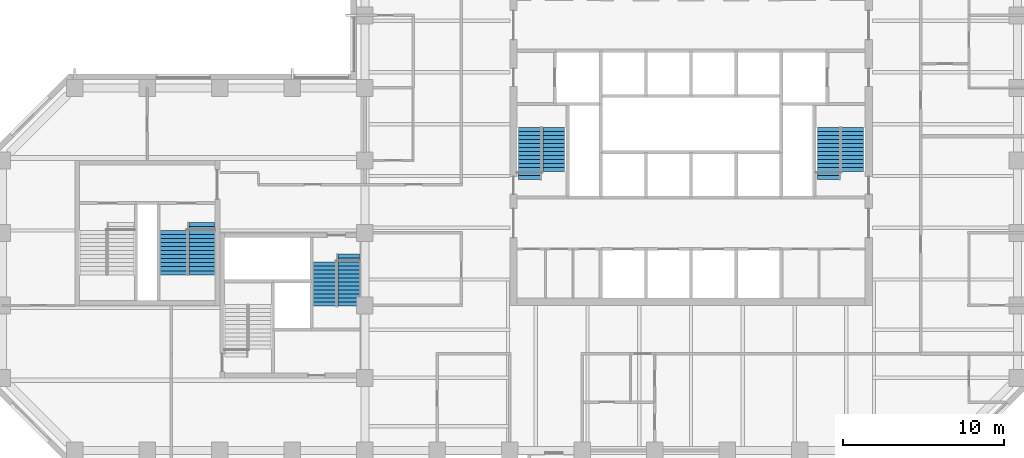
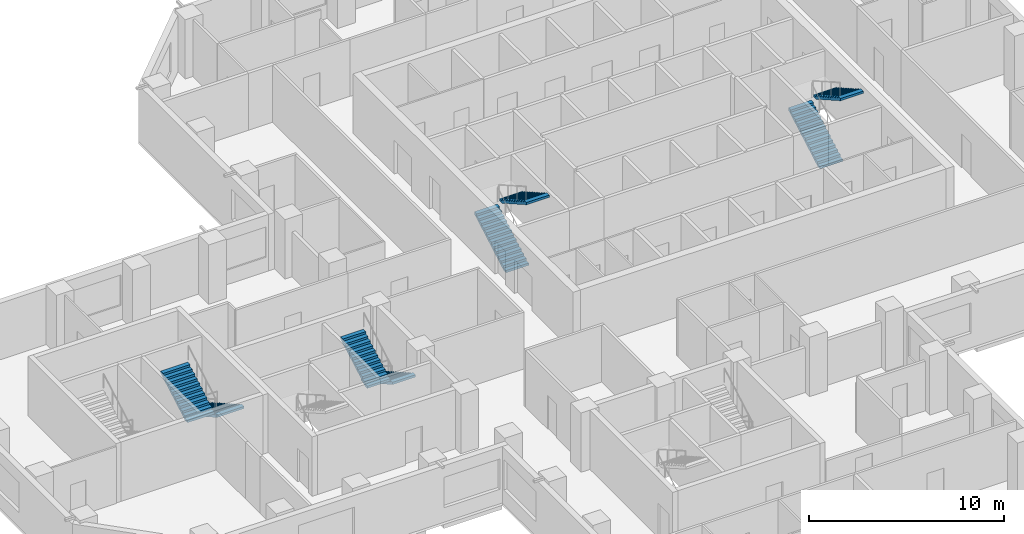
# One storey, part 10 of 11: 8 stair flights, 4 elements without a shape of their own.
"""IFC4 building model written with IfcOpenShell, lengths in metres."""

import ifcopenshell
import ifcopenshell.guid

model = None  # the IFC model being written
_history = None  # IfcOwnerHistory: only IFC2X3 demands one
_inside = {}  # id of a spatial element -> (the spatial element, [elements in it])
_under = {}  # id of a project, library or spatial element -> (it, [spatial elements below it])
_declared = {}  # id of a project -> (the project, [libraries it declares])
_typed = {}  # id of a type object -> (the type object, [elements of that type])
_made_of = {}  # id of a material, layer set ... -> (it, [elements and type objects made of it])


def new_model(schema):
    """Start an empty IFC model of exactly this schema.

    Asked for "IFC4X3", IfcOpenShell would pick the latest addendum, in which some entities
    have other attributes; the version numbers below select the first issue.
    IFC2X3 requires an IfcOwnerHistory on every rooted entity: one is made here for all.
    """
    global model, _history
    if schema == "IFC4X3":
        model = ifcopenshell.file(schema_version=(4, 3, 0, 0))
    else:
        model = ifcopenshell.file(schema=schema)
    _inside.clear()
    _under.clear()
    _declared.clear()
    _typed.clear()
    _made_of.clear()
    _history = None
    if model.schema == "IFC2X3":
        org = make("IfcOrganization", Name="unknown")
        user = make(
            "IfcPersonAndOrganization",
            ThePerson=make("IfcPerson", FamilyName="unknown"),
            TheOrganization=org,
        )
        app = make(
            "IfcApplication",
            ApplicationDeveloper=org,
            Version="unknown",
            ApplicationFullName="unknown",
            ApplicationIdentifier="unknown",
        )
        _history = make(
            "IfcOwnerHistory",
            OwningUser=user,
            OwningApplication=app,
            ChangeAction="ADDED",
            CreationDate=0,
        )
    return model


def make(cls, **values):
    """One entity of the class cls with the attributes given. An attribute that is None is left unset."""
    return model.create_entity(
        cls, **{name: value for name, value in values.items() if value is not None}
    )


def rooted(cls, **values):
    """An entity with a GlobalId (a new one), such as an element, a storey or a relation."""
    return make(cls, GlobalId=ifcopenshell.guid.new(), OwnerHistory=_history, **values)


def si_unit(unit_type, name, prefix=None):
    """IfcSIUnit, for example si_unit("LENGTHUNIT", "METRE", prefix="MILLI")."""
    return make("IfcSIUnit", UnitType=unit_type, Prefix=prefix, Name=name)


def assignment(units):
    """IfcUnitAssignment: the units of a project."""
    return None if units is None else make("IfcUnitAssignment", Units=units)


def point(xyz):
    """IfcCartesianPoint."""
    return None if xyz is None else make("IfcCartesianPoint", Coordinates=xyz)


def direction(xyz):
    """IfcDirection."""
    return None if xyz is None else make("IfcDirection", DirectionRatios=xyz)


def frame(location, z_axis=None, x_axis=None):
    """IfcAxis2Placement3D, a coordinate frame: its origin and axes. An axis left out is left unset."""
    return make(
        "IfcAxis2Placement3D",
        Location=point(location),
        Axis=direction(z_axis),
        RefDirection=direction(x_axis),
    )


def origin():
    """The frame at (0, 0, 0) with its axes left unset."""
    return frame((0.0, 0.0, 0.0))


def place(relative_to, where):
    """IfcLocalPlacement: puts the frame where relative to a parent placement (None: the world)."""
    return make(
        "IfcLocalPlacement", PlacementRelTo=relative_to, RelativePlacement=where
    )


def context(
    kind, dimensions, precision=None, world=None, true_north=None, identifier=None
):
    """IfcGeometricRepresentationContext, for example the 3D "Model" context."""
    return make(
        "IfcGeometricRepresentationContext",
        ContextIdentifier=identifier,
        ContextType=kind,
        CoordinateSpaceDimension=dimensions,
        Precision=precision,
        WorldCoordinateSystem=world,
        TrueNorth=true_north,
    )


def subcontext(parent, identifier, kind, view, scale=None):
    """IfcGeometricRepresentationSubContext, for example "Body" below "Model"."""
    return make(
        "IfcGeometricRepresentationSubContext",
        ContextIdentifier=identifier,
        ContextType=kind,
        ParentContext=parent,
        TargetScale=scale,
        TargetView=view,
    )


def project(units=None, contexts=None):
    """IfcProject with its units and contexts."""
    return rooted(
        "IfcProject",
        Name="project",
        RepresentationContexts=contexts,
        UnitsInContext=assignment(units),
    )


def spatial(cls, under=None, at=None, **own):
    """A site, building, storey or space (cls), placed at a placement, below another one or the project."""
    s = rooted(cls, ObjectPlacement=at, **own)
    if under is not None:
        _under.setdefault(under.id(), (under, []))[1].append(s)
    return s


def polyline(points):
    """IfcPolyline through the points."""
    return make("IfcPolyline", Points=[point(p) for p in points])


def outline(outer, holes=None, kind="AREA"):
    """IfcArbitraryClosedProfileDef: a profile drawn as a closed curve; with holes, ...WithVoids."""
    if holes is None:
        return make("IfcArbitraryClosedProfileDef", ProfileType=kind, OuterCurve=outer)
    return make(
        "IfcArbitraryProfileDefWithVoids",
        ProfileType=kind,
        OuterCurve=outer,
        InnerCurves=holes,
    )


def extrude(swept, where, along, depth):
    """IfcExtrudedAreaSolid: the profile swept, set in the frame where, extruded along a direction by depth."""
    return make(
        "IfcExtrudedAreaSolid",
        SweptArea=swept,
        Position=where,
        ExtrudedDirection=direction(along),
        Depth=depth,
    )


def shape(context_of_items, identifier, shape_type, items):
    """IfcShapeRepresentation: the items that make up one representation, for example the "Body"."""
    return make(
        "IfcShapeRepresentation",
        ContextOfItems=context_of_items,
        RepresentationIdentifier=identifier,
        RepresentationType=shape_type,
        Items=items,
    )


def material(Name=None, Category=None):
    """IfcMaterial."""
    return make("IfcMaterial", Name=Name, Category=Category)


def made_of(thing, what):
    """Note that an element or type object is made of a material, layer set ...; save() writes the relation."""
    if what is not None:
        _made_of.setdefault(what.id(), (what, []))[1].append(thing)
    return thing


def type_object(cls, material=None, **own):
    """A type object (cls), such as IfcWallType, which elements share."""
    return made_of(rooted(cls, **own), material)


def element(
    cls,
    number,
    at=None,
    inside=None,
    cuts=None,
    type_object=None,
    material=None,
    context=None,
    identifier="Body",
    shape_type=None,
    held_by="IfcProductDefinitionShape",
    body=None,
    shapes=None,
    **own,
):
    """One element of the class cls, such as IfcWall. Its Tag is "e" and its number.

    at: its placement. inside: the storey or other place that contains it. cuts: it is an
    opening in that element (IfcRelVoidsElement). A single representation is given by context,
    identifier, shape_type and body (its items); several are given by shapes. held_by: the class
    of the entity that holds the representations. save() writes the other relations.
    """
    e = rooted(cls, Tag="e%d" % number, ObjectPlacement=at, **own)
    if body is not None:
        shapes = [shape(context, identifier, shape_type, body)]
    if shapes is not None:
        e.Representation = make(held_by, Representations=shapes)
    if inside is not None:
        _inside.setdefault(inside.id(), (inside, []))[1].append(e)
    if cuts is not None:
        rooted(
            "IfcRelVoidsElement", RelatingBuildingElement=cuts, RelatedOpeningElement=e
        )
    if type_object is not None:
        _typed.setdefault(type_object.id(), (type_object, []))[1].append(e)
    return made_of(e, material)


def aggregate(whole, parts):
    """IfcRelAggregates: a whole, such as a stair, and the parts it consists of."""
    return rooted("IfcRelAggregates", RelatingObject=whole, RelatedObjects=parts)


def save(model, path):
    """Write the relations noted so far, then the file.

    IfcRelAggregates (storeys below a building ...), IfcRelContainedInSpatialStructure (elements
    in a storey), IfcRelDefinesByType, IfcRelAssociatesMaterial and IfcRelDeclares: one each for
    every whole, place, type object, material and project.
    """
    for whole, parts in _under.values():
        aggregate(whole, parts)
    for where, things in _inside.values():
        rooted(
            "IfcRelContainedInSpatialStructure",
            RelatedElements=things,
            RelatingStructure=where,
        )
    for kind, things in _typed.values():
        rooted("IfcRelDefinesByType", RelatedObjects=things, RelatingType=kind)
    for what, things in _made_of.values():
        rooted("IfcRelAssociatesMaterial", RelatedObjects=things, RelatingMaterial=what)
    for by, libraries in _declared.values():
        rooted("IfcRelDeclares", RelatingContext=by, RelatedDefinitions=libraries)
    model.write(path)


model = new_model("IFC4")

# Units and contexts
model_context = context("Model", 3, precision=1e-05, world=origin(), true_north=direction((0.0, 1.0)))
body_context = subcontext(model_context, "Body", "Model", "MODEL_VIEW")
ifc_project = project(units=[si_unit("LENGTHUNIT", "METRE"), si_unit("AREAUNIT", "SQUARE_METRE"), si_unit("VOLUMEUNIT", "CUBIC_METRE"), si_unit("PLANEANGLEUNIT", "RADIAN"), si_unit("MASSUNIT", "GRAM", prefix="KILO")], contexts=[model_context])

# Site, building, storey
site_placement = place(None, origin())
site = spatial("IfcSite", under=ifc_project, at=site_placement, CompositionType="ELEMENT")
building_placement = place(site_placement, origin())
building = spatial("IfcBuilding", under=site, at=building_placement, Name="Quoin Convention Tower", CompositionType="ELEMENT")
storey_placement = place(building_placement, frame((0.0, 0.0, 123.300048828125)))
storey = spatial("IfcBuildingStorey", under=building, at=storey_placement, Name="L32", CompositionType="ELEMENT", Elevation=123.300048828125)

# Stair, stair flights
ifc_material = material(Name="Concrete C40", Category="concrete")
stair_type_1 = type_object("IfcStairType", Name="Exit stair two-flight 1350", PredefinedType="HALF_TURN_STAIR", material=ifc_material)
stair_1_placement = place(storey_placement, origin())
stair_1 = element("IfcStair", 1, at=stair_1_placement, inside=storey, type_object=stair_type_1, Name="SD1 L32", PredefinedType="HALF_TURN_STAIR")
stair_flight_type_1 = type_object("IfcStairFlightType", Name="Stair flight 1350", PredefinedType="STRAIGHT", material=ifc_material)
stair_flight_1_placement = place(storey_placement, frame((46.22509765625, 57.300048828125, 0.0), z_axis=(0.0, 0.0, 1.0), x_axis=(0.0, 1.0, 0.0)))
stair_flight_1 = element("IfcStairFlight", 2, at=stair_flight_1_placement, type_object=stair_flight_type_1, Name="ST1 flight 1", NumberOfRisers=14, NumberOfTreads=13, PredefinedType="STRAIGHT", RiserHeight=0.142307692, TreadLength=0.25, context=body_context, shape_type="SweptSolid", body=[
    extrude(outline(polyline([(0.0, 0.0), (0.0, 0.142333984375), (0.25, 0.142333984375), (0.25, 0.28466796875), (0.5, 0.28466796875), (0.5, 0.427001953125), (0.75, 0.427001953125), (0.75, 0.5693359375), (1.0, 0.5693359375), (1.0, 0.71142578125), (1.25, 0.71142578125), (1.25, 0.853759765625), (1.5, 0.853759765625), (1.5, 0.99609375), (1.75, 0.99609375), (1.75, 1.138427734375), (2.0, 1.138427734375), (2.0, 1.28076171875), (2.25, 1.28076171875), (2.25, 1.423095703125), (2.5, 1.423095703125), (2.5, 1.5654296875), (2.75, 1.5654296875), (2.75, 1.707763671875), (3.0, 1.707763671875), (3.0, 1.85009765625), (3.25, 1.85009765625), (3.25, 1.9921875), (3.25, 1.711669921875), (0.242919921875, 0.0), (0.0, 0.0)])), frame((0.0, 0.675048828125, 0.0), z_axis=(0.0, -1.0, 0.0), x_axis=(1.0, 0.0, 0.0)), (0.0, 0.0, 1.0), 1.35009765625),
])
stair_flight_2_placement = place(storey_placement, frame((47.72509765625, 60.550048828125, 1.9921875), z_axis=(0.0, 0.0, 1.0), x_axis=(0.0, -1.0, 0.0)))
stair_flight_2 = element("IfcStairFlight", 3, at=stair_flight_2_placement, type_object=stair_flight_type_1, Name="ST1 flight 2", NumberOfRisers=12, NumberOfTreads=11, PredefinedType="STRAIGHT", RiserHeight=0.142307692, TreadLength=0.25, context=body_context, shape_type="SweptSolid", body=[
    extrude(outline(polyline([(0.0, 0.0), (0.0, 0.142333984375), (0.25, 0.142333984375), (0.25, 0.28466796875), (0.5, 0.28466796875), (0.5, 0.427001953125), (0.75, 0.427001953125), (0.75, 0.5693359375), (1.0, 0.5693359375), (1.0, 0.71142578125), (1.25, 0.71142578125), (1.25, 0.853759765625), (1.5, 0.853759765625), (1.5, 0.99609375), (1.75, 0.99609375), (1.75, 1.138427734375), (2.0, 1.138427734375), (2.0, 1.28076171875), (2.25, 1.28076171875), (2.25, 1.423095703125), (2.5, 1.423095703125), (2.5, 1.5654296875), (2.75, 1.5654296875), (2.75, 1.707763671875), (2.75, 1.42724609375), (0.242919921875, 0.0), (0.0, 0.0)])), frame((0.0, 0.675048828125, 0.0), z_axis=(0.0, -1.0, 0.0), x_axis=(1.0, 0.0, 0.0)), (0.0, 0.0, 1.0), 1.35009765625),
])
aggregate(stair_1, [stair_flight_1, stair_flight_2])

stair_2_placement = place(storey_placement, origin())
stair_2 = element("IfcStair", 4, at=stair_2_placement, inside=storey, type_object=stair_type_1, Name="SD2 L32", PredefinedType="HALF_TURN_STAIR")
stair_flight_3_placement = place(storey_placement, frame((64.77490234375, 57.300048828125, 0.0), z_axis=(0.0, 0.0, 1.0), x_axis=(0.0, 1.0, 0.0)))
stair_flight_3 = element("IfcStairFlight", 5, at=stair_flight_3_placement, type_object=stair_flight_type_1, Name="ST2 flight 1", NumberOfRisers=14, NumberOfTreads=13, PredefinedType="STRAIGHT", RiserHeight=0.142307692, TreadLength=0.25, context=body_context, shape_type="SweptSolid", body=[
    extrude(outline(polyline([(0.0, 0.0), (0.0, 0.142333984375), (0.25, 0.142333984375), (0.25, 0.28466796875), (0.5, 0.28466796875), (0.5, 0.427001953125), (0.75, 0.427001953125), (0.75, 0.5693359375), (1.0, 0.5693359375), (1.0, 0.71142578125), (1.25, 0.71142578125), (1.25, 0.853759765625), (1.5, 0.853759765625), (1.5, 0.99609375), (1.75, 0.99609375), (1.75, 1.138427734375), (2.0, 1.138427734375), (2.0, 1.28076171875), (2.25, 1.28076171875), (2.25, 1.423095703125), (2.5, 1.423095703125), (2.5, 1.5654296875), (2.75, 1.5654296875), (2.75, 1.707763671875), (3.0, 1.707763671875), (3.0, 1.85009765625), (3.25, 1.85009765625), (3.25, 1.9921875), (3.25, 1.711669921875), (0.242919921875, 0.0), (0.0, 0.0)])), frame((0.0, 0.675048828125, 0.0), z_axis=(0.0, -1.0, 0.0), x_axis=(1.0, 0.0, 0.0)), (0.0, 0.0, 1.0), 1.35009765625),
])
stair_flight_4_placement = place(storey_placement, frame((66.27490234375, 60.550048828125, 1.9921875), z_axis=(0.0, 0.0, 1.0), x_axis=(0.0, -1.0, 0.0)))
stair_flight_4 = element("IfcStairFlight", 6, at=stair_flight_4_placement, type_object=stair_flight_type_1, Name="ST2 flight 2", NumberOfRisers=12, NumberOfTreads=11, PredefinedType="STRAIGHT", RiserHeight=0.142307692, TreadLength=0.25, context=body_context, shape_type="SweptSolid", body=[
    extrude(outline(polyline([(0.0, 0.0), (0.0, 0.142333984375), (0.25, 0.142333984375), (0.25, 0.28466796875), (0.5, 0.28466796875), (0.5, 0.427001953125), (0.75, 0.427001953125), (0.75, 0.5693359375), (1.0, 0.5693359375), (1.0, 0.71142578125), (1.25, 0.71142578125), (1.25, 0.853759765625), (1.5, 0.853759765625), (1.5, 0.99609375), (1.75, 0.99609375), (1.75, 1.138427734375), (2.0, 1.138427734375), (2.0, 1.28076171875), (2.25, 1.28076171875), (2.25, 1.423095703125), (2.5, 1.423095703125), (2.5, 1.5654296875), (2.75, 1.5654296875), (2.75, 1.707763671875), (2.75, 1.42724609375), (0.242919921875, 0.0), (0.0, 0.0)])), frame((0.0, 0.675048828125, 0.0), z_axis=(0.0, -1.0, 0.0), x_axis=(1.0, 0.0, 0.0)), (0.0, 0.0, 1.0), 1.35009765625),
])
aggregate(stair_2, [stair_flight_3, stair_flight_4])

stair_3_placement = place(storey_placement, origin())
stair_3 = element("IfcStair", 7, at=stair_3_placement, inside=storey, type_object=stair_type_1, Name="SD4 L32", PredefinedType="HALF_TURN_STAIR")
stair_flight_5_placement = place(storey_placement, frame((35.0, 52.699951171875, 0.0), z_axis=(0.0, 0.0, 1.0), x_axis=(0.0, -1.0, 0.0)))
stair_flight_5 = element("IfcStairFlight", 8, at=stair_flight_5_placement, type_object=stair_flight_type_1, Name="ST4 flight 1", NumberOfRisers=14, NumberOfTreads=13, PredefinedType="STRAIGHT", RiserHeight=0.142307692, TreadLength=0.25, context=body_context, shape_type="SweptSolid", body=[
    extrude(outline(polyline([(0.0, 0.0), (0.0, 0.142333984375), (0.25, 0.142333984375), (0.25, 0.28466796875), (0.5, 0.28466796875), (0.5, 0.427001953125), (0.75, 0.427001953125), (0.75, 0.5693359375), (1.0, 0.5693359375), (1.0, 0.71142578125), (1.25, 0.71142578125), (1.25, 0.853759765625), (1.5, 0.853759765625), (1.5, 0.99609375), (1.75, 0.99609375), (1.75, 1.138427734375), (2.0, 1.138427734375), (2.0, 1.28076171875), (2.25, 1.28076171875), (2.25, 1.423095703125), (2.5, 1.423095703125), (2.5, 1.5654296875), (2.75, 1.5654296875), (2.75, 1.707763671875), (3.0, 1.707763671875), (3.0, 1.85009765625), (3.25, 1.85009765625), (3.25, 1.9921875), (3.25, 1.711669921875), (0.242919921875, 0.0), (0.0, 0.0)])), frame((0.0, 0.675048828125, 0.0), z_axis=(0.0, -1.0, 0.0), x_axis=(1.0, 0.0, 0.0)), (0.0, 0.0, 1.0), 1.35009765625),
])
stair_flight_6_placement = place(storey_placement, frame((33.5, 49.449951171875, 1.9921875), z_axis=(0.0, 0.0, 1.0), x_axis=(0.0, 1.0, 0.0)))
stair_flight_6 = element("IfcStairFlight", 9, at=stair_flight_6_placement, type_object=stair_flight_type_1, Name="ST4 flight 2", NumberOfRisers=12, NumberOfTreads=11, PredefinedType="STRAIGHT", RiserHeight=0.142307692, TreadLength=0.25, context=body_context, shape_type="SweptSolid", body=[
    extrude(outline(polyline([(0.0, 0.0), (0.0, 0.142333984375), (0.25, 0.142333984375), (0.25, 0.28466796875), (0.5, 0.28466796875), (0.5, 0.427001953125), (0.75, 0.427001953125), (0.75, 0.5693359375), (1.0, 0.5693359375), (1.0, 0.71142578125), (1.25, 0.71142578125), (1.25, 0.853759765625), (1.5, 0.853759765625), (1.5, 0.99609375), (1.75, 0.99609375), (1.75, 1.138427734375), (2.0, 1.138427734375), (2.0, 1.28076171875), (2.25, 1.28076171875), (2.25, 1.423095703125), (2.5, 1.423095703125), (2.5, 1.5654296875), (2.75, 1.5654296875), (2.75, 1.707763671875), (2.75, 1.42724609375), (0.242919921875, 0.0), (0.0, 0.0)])), frame((0.0, 0.675048828125, 0.0), z_axis=(0.0, -1.0, 0.0), x_axis=(1.0, 0.0, 0.0)), (0.0, 0.0, 1.0), 1.35009765625),
])
aggregate(stair_3, [stair_flight_5, stair_flight_6])

stair_type_2 = type_object("IfcStairType", Name="Exit stair two-flight 1600", PredefinedType="HALF_TURN_STAIR", material=ifc_material)
stair_4_placement = place(storey_placement, origin())
stair_4 = element("IfcStair", 10, at=stair_4_placement, inside=storey, type_object=stair_type_2, Name="SD12 L32", PredefinedType="HALF_TURN_STAIR")
stair_flight_type_2 = type_object("IfcStairFlightType", Name="Stair flight 1600", PredefinedType="STRAIGHT", material=ifc_material)
stair_flight_7_placement = place(storey_placement, frame((25.875, 54.64990234375, 0.0), z_axis=(0.0, 0.0, 1.0), x_axis=(0.0, -1.0, 0.0)))
stair_flight_7 = element("IfcStairFlight", 11, at=stair_flight_7_placement, type_object=stair_flight_type_2, Name="ST12 flight 1", NumberOfRisers=14, NumberOfTreads=13, PredefinedType="STRAIGHT", RiserHeight=0.142307692, TreadLength=0.25, context=body_context, shape_type="SweptSolid", body=[
    extrude(outline(polyline([(0.0, 0.0), (0.0, 0.142333984375), (0.25, 0.142333984375), (0.25, 0.28466796875), (0.5, 0.28466796875), (0.5, 0.427001953125), (0.75, 0.427001953125), (0.75, 0.5693359375), (1.0, 0.5693359375), (1.0, 0.71142578125), (1.25, 0.71142578125), (1.25, 0.853759765625), (1.5, 0.853759765625), (1.5, 0.99609375), (1.75, 0.99609375), (1.75, 1.138427734375), (2.0, 1.138427734375), (2.0, 1.28076171875), (2.25, 1.28076171875), (2.25, 1.423095703125), (2.5, 1.423095703125), (2.5, 1.5654296875), (2.75, 1.5654296875), (2.75, 1.707763671875), (3.0, 1.707763671875), (3.0, 1.85009765625), (3.25, 1.85009765625), (3.25, 1.9921875), (3.25, 1.711669921875), (0.242919921875, 0.0), (0.0, 0.0)])), frame((0.0, 0.800048828125, 0.0), z_axis=(0.0, -1.0, 0.0), x_axis=(1.0, 0.0, 0.0)), (0.0, 0.0, 1.0), 1.60009765625),
])
stair_flight_8_placement = place(storey_placement, frame((24.125, 51.39990234375, 1.9921875), z_axis=(0.0, 0.0, 1.0), x_axis=(0.0, 1.0, 0.0)))
stair_flight_8 = element("IfcStairFlight", 12, at=stair_flight_8_placement, type_object=stair_flight_type_2, Name="ST12 flight 2", NumberOfRisers=12, NumberOfTreads=11, PredefinedType="STRAIGHT", RiserHeight=0.142307692, TreadLength=0.25, context=body_context, shape_type="SweptSolid", body=[
    extrude(outline(polyline([(0.0, 0.0), (0.0, 0.142333984375), (0.25, 0.142333984375), (0.25, 0.28466796875), (0.5, 0.28466796875), (0.5, 0.427001953125), (0.75, 0.427001953125), (0.75, 0.5693359375), (1.0, 0.5693359375), (1.0, 0.71142578125), (1.25, 0.71142578125), (1.25, 0.853759765625), (1.5, 0.853759765625), (1.5, 0.99609375), (1.75, 0.99609375), (1.75, 1.138427734375), (2.0, 1.138427734375), (2.0, 1.28076171875), (2.25, 1.28076171875), (2.25, 1.423095703125), (2.5, 1.423095703125), (2.5, 1.5654296875), (2.75, 1.5654296875), (2.75, 1.707763671875), (2.75, 1.42724609375), (0.242919921875, 0.0), (0.0, 0.0)])), frame((0.0, 0.800048828125, 0.0), z_axis=(0.0, -1.0, 0.0), x_axis=(1.0, 0.0, 0.0)), (0.0, 0.0, 1.0), 1.60009765625),
])
aggregate(stair_4, [stair_flight_7, stair_flight_8])

save(model, "model.ifc")
